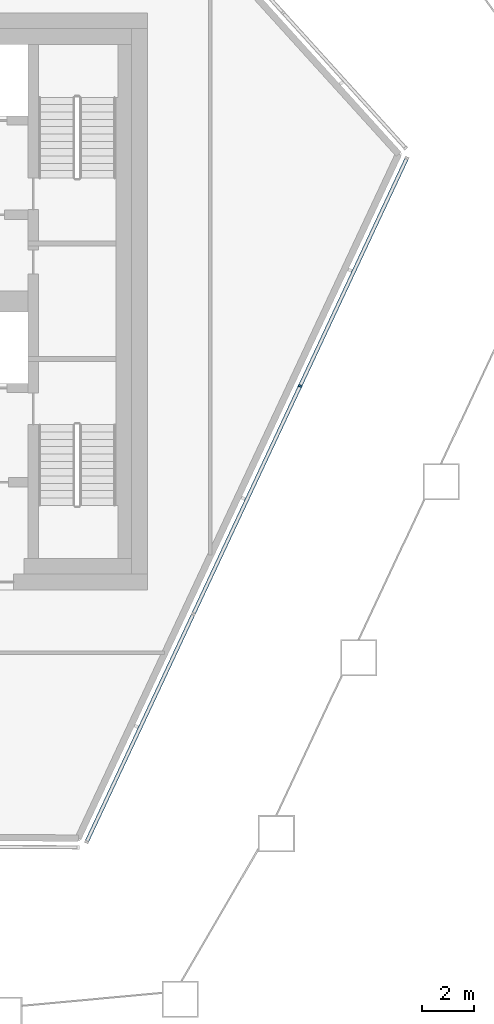
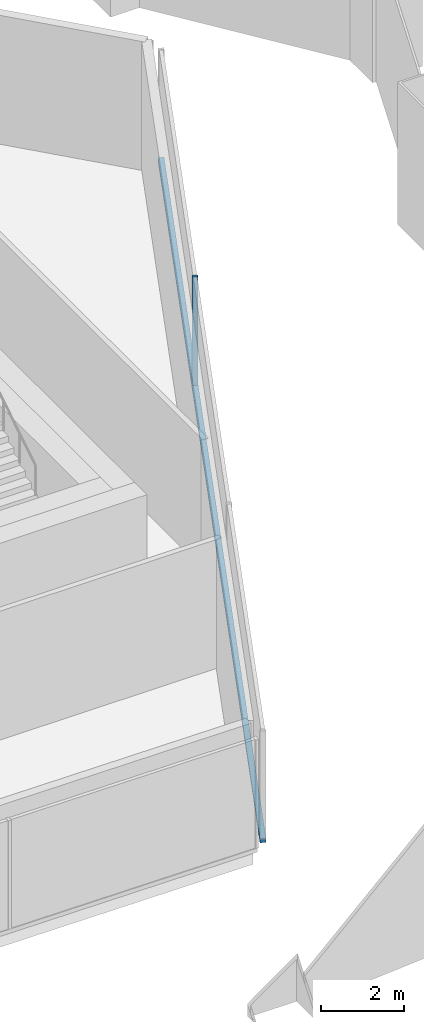
# One storey, part 4 of 18: 2 members, 1 element without a shape of its own.
"""IFC4 building model written with IfcOpenShell, lengths in metres."""

from ifc_helpers import new_model, si_unit, direction, frame, origin, origin_2d, place, context, subcontext, project, spatial, rectangle, extrude, material, layer, layer_set, material_profile, profile_set, type_object, element, aggregate, save


model = new_model("IFC4")

# Units and contexts
model_context = context("Model", 3, precision=1e-05, world=origin(), true_north=direction((0.0, 1.0)))
body_context = subcontext(model_context, "Body", "Model", "MODEL_VIEW")
ifc_project = project(units=[si_unit("LENGTHUNIT", "METRE"), si_unit("AREAUNIT", "SQUARE_METRE"), si_unit("VOLUMEUNIT", "CUBIC_METRE"), si_unit("PLANEANGLEUNIT", "RADIAN"), si_unit("MASSUNIT", "GRAM", prefix="KILO")], contexts=[model_context])

# Site, building, storey
site_placement = place(None, origin())
site = spatial("IfcSite", under=ifc_project, at=site_placement, CompositionType="ELEMENT")
building_placement = place(site_placement, origin())
building = spatial("IfcBuilding", under=site, at=building_placement, Name="Dongbaek Canopy Tower", CompositionType="ELEMENT")
storey_placement = place(building_placement, frame((0.0, 0.0, 363.199951171875)))
storey = spatial("IfcBuildingStorey", under=building, at=storey_placement, Name="L78", CompositionType="ELEMENT", Elevation=363.199951171875)

# Curtain wall, members
ifc_material_1 = material(Name="Aluminium 6063-T6 pale anodised", Category="aluminium")
ifc_layer = layer(ifc_material_1, 0.14990234375)
ifc_layer_set = layer_set([ifc_layer], Name="CW-7 louvre curtain wall")
curtain_wall_type = type_object("IfcCurtainWallType", Name="CW-7 louvre curtain wall", PredefinedType="NOTDEFINED", material=ifc_layer_set)
curtain_wall_placement = place(storey_placement, origin())
curtain_wall = element("IfcCurtainWall", 1, at=curtain_wall_placement, inside=storey, type_object=curtain_wall_type, Name="CW-7 louvre wall L78 F1", PredefinedType="NOTDEFINED")
ifc_material_2 = material(Name="Aluminium 6063-T6 pale anodised", Category="aluminium")
ifc_material_profile_1 = material_profile(ifc_material_2, rectangle(XDim=0.14990234375, YDim=0.080078125, at=origin_2d()), Name="CW-7 mullion 80 x 150")
ifc_profile_set_1 = profile_set([ifc_material_profile_1], Name="Aluminium 6063-T6 pale anodised")
member_type_1 = type_object("IfcMemberType", Name="CW-7 mullion 80 x 150", PredefinedType="MULLION", material=ifc_profile_set_1)
member_1_placement = place(storey_placement, frame((19.827880859375, -3.228759765625, 0.300048828125), z_axis=(0.0, 0.0, 1.0), x_axis=(0.905604659029, -0.42412286138, 0.0)))
member_1 = element("IfcMember", 2, at=member_1_placement, type_object=member_type_1, Name="CW-7 mullion L78 F1.1.3", PredefinedType="MULLION", context=body_context, shape_type="SweptSolid", body=[
    extrude(rectangle(XDim=0.14990234375, YDim=0.080078125, at=origin_2d()), origin(), (0.0, 0.0, 1.0), 3.199951171875),
])
ifc_material_3 = material(Name="Aluminium 6063-T6 pale anodised", Category="aluminium")
ifc_material_profile_2 = material_profile(ifc_material_3, rectangle(XDim=0.14990234375, YDim=0.1201171875, at=origin_2d()), Name="CW-7 transom 120 x 150")
ifc_profile_set_2 = profile_set([ifc_material_profile_2], Name="Aluminium 6063-T6 pale anodised")
member_type_2 = type_object("IfcMemberType", Name="CW-7 transom 120 x 150", PredefinedType="USERDEFINED", material=ifc_profile_set_2)
member_2_placement = place(storey_placement, frame((11.684326171875, -20.6171875, 0.239990234375), z_axis=(0.424125024155, 0.905603646131, 0.0), x_axis=(-0.905603646131, 0.424125024155, 0.0)))
member_2 = element("IfcMember", 3, at=member_2_placement, type_object=member_type_2, Name="CW-7 transom L78 F1.1", ObjectType="TRANSOM", PredefinedType="USERDEFINED", context=body_context, shape_type="SweptSolid", body=[
    extrude(rectangle(XDim=0.14990234375, YDim=0.1201171875, at=origin_2d()), origin(), (0.0, 0.0, 1.0), 28.80126953125),
])
aggregate(curtain_wall, [member_2, member_1])

save(model, "model.ifc")
